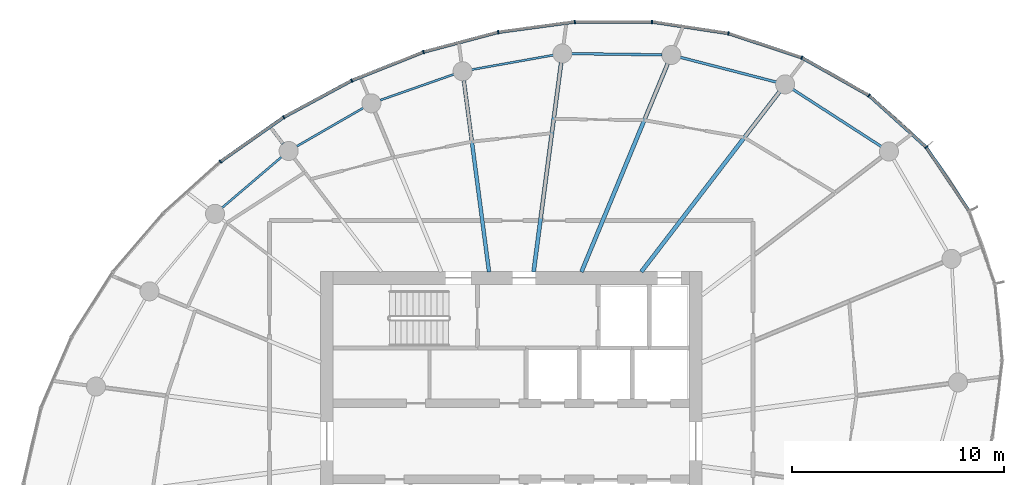
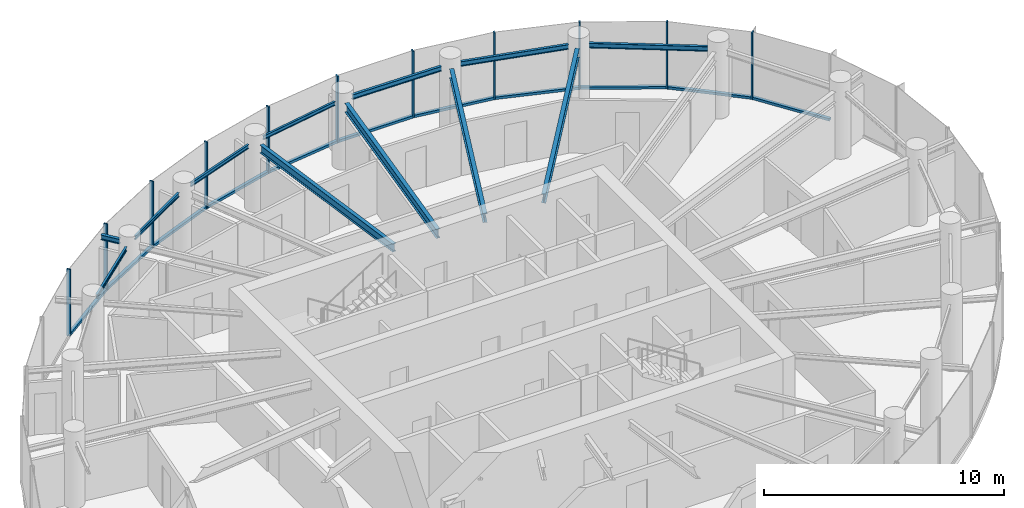
# One storey, part 6 of 14: 22 members, 12 beams, 2 elements without a shape of their own.
"""IFC4 building model written with IfcOpenShell, lengths in metres."""

from ifc_helpers import new_model, si_unit, direction, frame, origin, origin_2d, place, context, subcontext, project, spatial, rectangle, i_section, extrude, source, transform, mapped, material, layer, layer_set, material_profile, profile_set, type_object, element, aggregate, save


model = new_model("IFC4")

# Units and contexts
model_context = context("Model", 3, precision=1e-05, world=origin(), true_north=direction((0.0, 1.0)))
body_context = subcontext(model_context, "Body", "Model", "MODEL_VIEW")
ifc_project = project(units=[si_unit("LENGTHUNIT", "METRE"), si_unit("AREAUNIT", "SQUARE_METRE"), si_unit("VOLUMEUNIT", "CUBIC_METRE"), si_unit("PLANEANGLEUNIT", "RADIAN"), si_unit("MASSUNIT", "GRAM", prefix="KILO")], contexts=[model_context])

# Site, building, storey
site_placement = place(None, origin())
site = spatial("IfcSite", under=ifc_project, at=site_placement, CompositionType="ELEMENT")
building_placement = place(site_placement, origin())
building = spatial("IfcBuilding", under=site, at=building_placement, Name="Spindrift Exchange Tower", CompositionType="ELEMENT")
storey_placement = place(building_placement, frame((0.0, 0.0, 226.699951171875)))
storey = spatial("IfcBuildingStorey", under=building, at=storey_placement, Name="L55", CompositionType="ELEMENT", Elevation=226.699951171875)

# Beams
ifc_material_1 = material(Name="Steel Grade 300", Category="steel")
ifc_material_profile_1 = material_profile(ifc_material_1, i_section(OverallWidth=0.14599609375, OverallDepth=0.251953125, WebThickness=0.006103515625, FlangeThickness=0.008544921875, FilletRadius=0.011962890625, at=origin_2d()), Name="250UB31.4")
ifc_profile_set_1 = profile_set([ifc_material_profile_1], Name="Steel Grade 300")
beam_type_1 = type_object("IfcBeamType", Name="Cantilever Beam 250UB31.4 Steel Grade 300", PredefinedType="BEAM", material=ifc_profile_set_1)
shared_shape_1 = source(origin(), body_context, "Body", "SweptSolid", [
    extrude(i_section(OverallWidth=0.14599609375, OverallDepth=0.251953125, WebThickness=0.006103515625, FlangeThickness=0.008544921875, FilletRadius=0.011962890625, at=origin_2d()), origin(), (0.0, 0.0, 1.0), 0.845947265625),
])
beam_1_placement = place(storey_placement, frame((41.239013671875, 62.024169921875, 3.274169921875), z_axis=(-0.60887368778, 0.793267188487, 0.0), x_axis=(-0.793267188487, -0.60887368778, 0.0)))
element("IfcBeam", 1, at=beam_1_placement, inside=storey, type_object=beam_type_1, Name="L55 cantilever beam R09T", PredefinedType="BEAM", context=body_context, shape_type="MappedRepresentation", body=[
    mapped(shared_shape_1, transform((0.0, 0.0, 0.0), scale=1.0)),
])
ifc_material_profile_2 = material_profile(ifc_material_1, i_section(OverallWidth=0.18994140625, OverallDepth=0.4541015625, WebThickness=0.008544921875, FlangeThickness=0.0126953125, FilletRadius=0.013916015625, at=origin_2d()), Name="460UB67.1")
ifc_profile_set_2 = profile_set([ifc_material_profile_2], Name="Steel Grade 300")
beam_type_2 = type_object("IfcBeamType", Name="Floor Beam 460UB67.1 Steel Grade 300", PredefinedType="BEAM", material=ifc_profile_set_2)
shared_shape_2 = source(origin(), body_context, "Body", "SweptSolid", [
    extrude(i_section(OverallWidth=0.18994140625, OverallDepth=0.4541015625, WebThickness=0.008544921875, FlangeThickness=0.0126953125, FilletRadius=0.013916015625, at=origin_2d()), origin(), (0.0, 0.0, 1.0), 10.711181640625),
])
beam_2_placement = place(storey_placement, frame((58.12646484375, 55.984130859375, 3.173095703125), z_axis=(0.608756401092, 0.793357198322, 0.0), x_axis=(-0.793357198322, 0.608756401092, 0.0)))
element("IfcBeam", 2, at=beam_2_placement, inside=storey, type_object=beam_type_2, Name="L55 radial beam R04A", PredefinedType="BEAM", context=body_context, shape_type="MappedRepresentation", body=[
    mapped(shared_shape_2, transform((0.0, 0.0, 0.0), scale=1.0)),
])
shared_shape_3 = source(origin(), body_context, "Body", "SweptSolid", [
    extrude(i_section(OverallWidth=0.18994140625, OverallDepth=0.4541015625, WebThickness=0.008544921875, FlangeThickness=0.0126953125, FilletRadius=0.013916015625, at=origin_2d()), origin(), (0.0, 0.0, 1.0), 10.64111328125),
])
beam_3_placement = place(storey_placement, frame((55.30615234375, 55.9814453125, 3.173095703125), z_axis=(0.382672627597, 0.923884007919, 0.0), x_axis=(-0.923884007919, 0.382672627597, 0.0)))
element("IfcBeam", 3, at=beam_3_placement, inside=storey, type_object=beam_type_2, Name="L55 radial beam R05A", PredefinedType="BEAM", context=body_context, shape_type="MappedRepresentation", body=[
    mapped(shared_shape_3, transform((0.0, 0.0, 0.0), scale=1.0)),
])
shared_shape_4 = source(origin(), body_context, "Body", "SweptSolid", [
    extrude(i_section(OverallWidth=0.18994140625, OverallDepth=0.4541015625, WebThickness=0.008544921875, FlangeThickness=0.0126953125, FilletRadius=0.013916015625, at=origin_2d()), origin(), (0.0, 0.0, 1.0), 9.95703125),
])
beam_4_placement = place(storey_placement, frame((53.050537109375, 55.980224609375, 3.173095703125), z_axis=(0.130541406635, 0.991442858239, 0.0), x_axis=(-0.991442858239, 0.130541406635, 0.0)))
element("IfcBeam", 4, at=beam_4_placement, inside=storey, type_object=beam_type_2, Name="L55 radial beam R06A", PredefinedType="BEAM", context=body_context, shape_type="MappedRepresentation", body=[
    mapped(shared_shape_4, transform((0.0, 0.0, 0.0), scale=1.0)),
])
ifc_material_profile_3 = material_profile(ifc_material_1, i_section(OverallWidth=0.177978515625, OverallDepth=0.403076171875, WebThickness=0.007568359375, FlangeThickness=0.010986328125, FilletRadius=0.013916015625, at=origin_2d()), Name="410UB53.7")
ifc_profile_set_3 = profile_set([ifc_material_profile_3], Name="Steel Grade 300")
beam_type_3 = type_object("IfcBeamType", Name="Floor Beam 410UB53.7 Steel Grade 300", PredefinedType="BEAM", material=ifc_profile_set_3)
shared_shape_5 = source(origin(), body_context, "Body", "SweptSolid", [
    extrude(i_section(OverallWidth=0.177978515625, OverallDepth=0.403076171875, WebThickness=0.007568359375, FlangeThickness=0.010986328125, FilletRadius=0.013916015625, at=origin_2d()), origin(), (0.0, 0.0, 1.0), 9.11376953125),
])
beam_5_placement = place(storey_placement, frame((50.949462890625, 55.980224609375, 3.198486328125), z_axis=(-0.130536972606, 0.991443442049, 0.0), x_axis=(-0.991443442049, -0.130536972606, 0.0)))
element("IfcBeam", 5, at=beam_5_placement, inside=storey, type_object=beam_type_3, Name="L55 radial beam R07A", PredefinedType="BEAM", context=body_context, shape_type="MappedRepresentation", body=[
    mapped(shared_shape_5, transform((0.0, 0.0, 0.0), scale=1.0)),
])
ifc_material_profile_4 = material_profile(ifc_material_1, i_section(OverallWidth=0.1240234375, OverallDepth=0.248046875, WebThickness=0.0048828125, FlangeThickness=0.008056640625, FilletRadius=0.011962890625, at=origin_2d()), Name="250UB25.7")
ifc_profile_set_4 = profile_set([ifc_material_profile_4], Name="Steel Grade 300")
beam_type_4 = type_object("IfcBeamType", Name="Edge Beam 250UB25.7 Steel Grade 300", PredefinedType="SPANDREL", material=ifc_profile_set_4)
shared_shape_6 = source(origin(), body_context, "Body", "SweptSolid", [
    extrude(i_section(OverallWidth=0.1240234375, OverallDepth=0.248046875, WebThickness=0.0048828125, FlangeThickness=0.008056640625, FilletRadius=0.011962890625, at=origin_2d()), origin(), (0.0, 0.0, 1.0), 4.966552734375),
])
beam_6_placement = place(storey_placement, frame((69.44091796875, 61.893310546875, 3.276123046875), z_axis=(-0.839802198579, 0.54289250065, 0.0), x_axis=(-0.54289250065, -0.839802198579, 0.0)))
element("IfcBeam", 6, at=beam_6_placement, inside=storey, type_object=beam_type_4, Name="L55 edge beam E03", PredefinedType="SPANDREL", context=body_context, shape_type="MappedRepresentation", body=[
    mapped(shared_shape_6, transform((0.0, 0.0, 0.0), scale=1.0)),
])
shared_shape_7 = source(origin(), body_context, "Body", "SweptSolid", [
    extrude(i_section(OverallWidth=0.1240234375, OverallDepth=0.248046875, WebThickness=0.0048828125, FlangeThickness=0.008056640625, FilletRadius=0.011962890625, at=origin_2d()), origin(), (0.0, 0.0, 1.0), 4.682373046875),
])
beam_7_placement = place(storey_placement, frame((64.492431640625, 64.9306640625, 3.276123046875), z_axis=(-0.968201586176, 0.250171318352, 0.0), x_axis=(-0.250171318352, -0.968201586176, 0.0)))
element("IfcBeam", 7, at=beam_7_placement, inside=storey, type_object=beam_type_4, Name="L55 edge beam E04", PredefinedType="SPANDREL", context=body_context, shape_type="MappedRepresentation", body=[
    mapped(shared_shape_7, transform((0.0, 0.0, 0.0), scale=1.0)),
])
shared_shape_8 = source(origin(), body_context, "Body", "SweptSolid", [
    extrude(i_section(OverallWidth=0.1240234375, OverallDepth=0.248046875, WebThickness=0.0048828125, FlangeThickness=0.008056640625, FilletRadius=0.011962890625, at=origin_2d()), origin(), (0.0, 0.0, 1.0), 4.27685546875),
])
beam_8_placement = place(storey_placement, frame((59.11279296875, 66.21533203125, 3.276123046875), z_axis=(-0.999910013527, 0.013415097807, 0.0), x_axis=(-0.013415097807, -0.999910013527, 0.0)))
element("IfcBeam", 8, at=beam_8_placement, inside=storey, type_object=beam_type_4, Name="L55 edge beam E05", PredefinedType="SPANDREL", context=body_context, shape_type="MappedRepresentation", body=[
    mapped(shared_shape_8, transform((0.0, 0.0, 0.0), scale=1.0)),
])
ifc_material_profile_5 = material_profile(ifc_material_1, i_section(OverallWidth=0.09912109375, OverallDepth=0.197998046875, WebThickness=0.00439453125, FlangeThickness=0.007080078125, FilletRadius=0.010986328125, at=origin_2d()), Name="200UB18.2")
ifc_profile_set_5 = profile_set([ifc_material_profile_5], Name="Steel Grade 300")
beam_type_5 = type_object("IfcBeamType", Name="Edge Beam 200UB18.2 Steel Grade 300", PredefinedType="SPANDREL", material=ifc_profile_set_5)
shared_shape_9 = source(origin(), body_context, "Body", "SweptSolid", [
    extrude(i_section(OverallWidth=0.09912109375, OverallDepth=0.197998046875, WebThickness=0.00439453125, FlangeThickness=0.007080078125, FilletRadius=0.010986328125, at=origin_2d()), origin(), (0.0, 0.0, 1.0), 3.916259765625),
])
beam_9_placement = place(storey_placement, frame((53.98291015625, 66.203125, 3.301025390625), z_axis=(-0.984558687682, -0.175054821441, 0.0), x_axis=(0.175054821441, -0.984558687682, 0.0)))
element("IfcBeam", 9, at=beam_9_placement, inside=storey, type_object=beam_type_5, Name="L55 edge beam E06", PredefinedType="SPANDREL", context=body_context, shape_type="MappedRepresentation", body=[
    mapped(shared_shape_9, transform((0.0, 0.0, 0.0), scale=1.0)),
])
shared_shape_10 = source(origin(), body_context, "Body", "SweptSolid", [
    extrude(i_section(OverallWidth=0.09912109375, OverallDepth=0.197998046875, WebThickness=0.00439453125, FlangeThickness=0.007080078125, FilletRadius=0.010986328125, at=origin_2d()), origin(), (0.0, 0.0, 1.0), 3.700439453125),
])
beam_10_placement = place(storey_placement, frame((49.298095703125, 65.300048828125, 3.301025390625), z_axis=(-0.943515334916, -0.331328858957, 0.0), x_axis=(0.331328858957, -0.943515334916, 0.0)))
element("IfcBeam", 10, at=beam_10_placement, inside=storey, type_object=beam_type_5, Name="L55 edge beam E07", PredefinedType="SPANDREL", context=body_context, shape_type="MappedRepresentation", body=[
    mapped(shared_shape_10, transform((0.0, 0.0, 0.0), scale=1.0)),
])
shared_shape_11 = source(origin(), body_context, "Body", "SweptSolid", [
    extrude(i_section(OverallWidth=0.09912109375, OverallDepth=0.197998046875, WebThickness=0.00439453125, FlangeThickness=0.007080078125, FilletRadius=0.010986328125, at=origin_2d()), origin(), (0.0, 0.0, 1.0), 3.64208984375),
])
beam_11_placement = place(storey_placement, frame((45.028564453125, 63.716552734375, 3.301025390625), z_axis=(-0.866364093123, -0.499412913476, 0.0), x_axis=(0.499412913476, -0.866364093123, 0.0)))
element("IfcBeam", 11, at=beam_11_placement, inside=storey, type_object=beam_type_5, Name="L55 edge beam E08", PredefinedType="SPANDREL", context=body_context, shape_type="MappedRepresentation", body=[
    mapped(shared_shape_11, transform((0.0, 0.0, 0.0), scale=1.0)),
])
shared_shape_12 = source(origin(), body_context, "Body", "SweptSolid", [
    extrude(i_section(OverallWidth=0.09912109375, OverallDepth=0.197998046875, WebThickness=0.00439453125, FlangeThickness=0.007080078125, FilletRadius=0.010986328125, at=origin_2d()), origin(), (0.0, 0.0, 1.0), 3.703857421875),
])
beam_12_placement = place(storey_placement, frame((41.173583984375, 61.40380859375, 3.301025390625), z_axis=(-0.7606692863, -0.64913961278, 0.0), x_axis=(0.64913961278, -0.7606692863, 0.0)))
element("IfcBeam", 12, at=beam_12_placement, inside=storey, type_object=beam_type_5, Name="L55 edge beam E09", PredefinedType="SPANDREL", context=body_context, shape_type="MappedRepresentation", body=[
    mapped(shared_shape_12, transform((0.0, 0.0, 0.0), scale=1.0)),
])

# Curtain wall, members
ifc_material_2 = material(Name="Fritted laminated glass with bronze frame", Category="glass")
ifc_layer = layer(ifc_material_2, 0.169921875)
ifc_layer_set = layer_set([ifc_layer], Name="ZONE 4 BRONZE FRITTED WALL")
curtain_wall_type = type_object("IfcCurtainWallType", Name="ZONE 4 BRONZE FRITTED WALL", PredefinedType="NOTDEFINED", material=ifc_layer_set)
curtain_wall_1_placement = place(storey_placement, origin())
curtain_wall_1 = element("IfcCurtainWall", 13, at=curtain_wall_1_placement, inside=storey, type_object=curtain_wall_type, Name="L55 Zone 4 Bronze Fritted Wall run 2", PredefinedType="NOTDEFINED")
ifc_material_3 = material(Name="Bronze anodised aluminium", Category="aluminium")
ifc_material_profile_6 = material_profile(ifc_material_3, rectangle(XDim=0.14990234375, YDim=0.125, at=origin_2d()), Name="ZONE 4 BRONZE FRITTED WALL TRANSOM 150X125")
ifc_profile_set_6 = profile_set([ifc_material_profile_6], Name="Bronze anodised aluminium")
member_type_1 = type_object("IfcMemberType", Name="ZONE 4 BRONZE FRITTED WALL TRANSOM 150X125", PredefinedType="USERDEFINED", material=ifc_profile_set_6)
shared_shape_13 = source(origin(), body_context, "Body", "SweptSolid", [
    extrude(rectangle(XDim=0.14990234375, YDim=0.125, at=origin_2d()), origin(), (0.0, 0.0, 1.0), 3.57763671875),
])
member_1_placement = place(storey_placement, frame((51.351318359375, 67.27490234375, 0.0625), z_axis=(-0.966558105921, -0.256447709831, 0.0), x_axis=(0.256447709831, -0.966558105921, 0.0)))
member_1 = element("IfcMember", 14, at=member_1_placement, type_object=member_type_1, Name="L55 transom CW-4.8", ObjectType="TRANSOM", PredefinedType="USERDEFINED", context=body_context, shape_type="MappedRepresentation", body=[
    mapped(shared_shape_13, transform((0.0, 0.0, 0.0), scale=1.0)),
])
member_2_placement = place(storey_placement, frame((41.24365234375, 63.256103515625, 0.0625), z_axis=(-0.818596657308, -0.574368794978, 0.0), x_axis=(0.574368794978, -0.818596657308, 0.0)))
member_2 = element("IfcMember", 15, at=member_2_placement, type_object=member_type_1, Name="L55 transom CW-4.11", ObjectType="TRANSOM", PredefinedType="USERDEFINED", context=body_context, shape_type="MappedRepresentation", body=[
    mapped(shared_shape_13, transform((0.0, 0.0, 0.0), scale=1.0)),
])
shared_shape_14 = source(origin(), body_context, "Body", "SweptSolid", [
    extrude(rectangle(XDim=0.14990234375, YDim=0.125, at=origin_2d()), origin(), (0.0, 0.0, 1.0), 3.577880859375),
])
member_3_placement = place(storey_placement, frame((47.831787109375, 66.337158203125, 0.0625), z_axis=(-0.929344709529, -0.369213232251, 0.0), x_axis=(0.369213232251, -0.929344709529, 0.0)))
member_3 = element("IfcMember", 16, at=member_3_placement, type_object=member_type_1, Name="L55 transom CW-4.9", ObjectType="TRANSOM", PredefinedType="USERDEFINED", context=body_context, shape_type="MappedRepresentation", body=[
    mapped(shared_shape_14, transform((0.0, 0.0, 0.0), scale=1.0)),
])
shared_shape_15 = source(origin(), body_context, "Body", "SweptSolid", [
    extrude(rectangle(XDim=0.14990234375, YDim=0.125, at=origin_2d()), origin(), (0.0, 0.0, 1.0), 3.577392578125),
])
member_4_placement = place(storey_placement, frame((54.9599609375, 67.767333984375, 0.0625), z_axis=(-0.990967936173, -0.134099028619, 0.0), x_axis=(0.134099028619, -0.990967936173, 0.0)))
member_4 = element("IfcMember", 17, at=member_4_placement, type_object=member_type_1, Name="L55 transom CW-4.7", ObjectType="TRANSOM", PredefinedType="USERDEFINED", context=body_context, shape_type="MappedRepresentation", body=[
    mapped(shared_shape_15, transform((0.0, 0.0, 0.0), scale=1.0)),
])
shared_shape_16 = source(origin(), body_context, "Body", "SweptSolid", [
    extrude(rectangle(XDim=0.14990234375, YDim=0.125, at=origin_2d()), origin(), (0.0, 0.0, 1.0), 3.578125),
])
member_5_placement = place(storey_placement, frame((44.447998046875, 64.98876953125, 0.0625), z_axis=(-0.880146627355, -0.474701921584, 0.0), x_axis=(0.474701921584, -0.880146627355, 0.0)))
member_5 = element("IfcMember", 18, at=member_5_placement, type_object=member_type_1, Name="L55 transom CW-4.10", ObjectType="TRANSOM", PredefinedType="USERDEFINED", context=body_context, shape_type="MappedRepresentation", body=[
    mapped(shared_shape_16, transform((0.0, 0.0, 0.0), scale=1.0)),
])

curtain_wall_2_placement = place(storey_placement, origin())
curtain_wall_2 = element("IfcCurtainWall", 19, at=curtain_wall_2_placement, inside=storey, type_object=curtain_wall_type, Name="L55 Zone 4 Bronze Fritted Wall run 1", PredefinedType="NOTDEFINED")
shared_shape_17 = source(origin(), body_context, "Body", "SweptSolid", [
    extrude(rectangle(XDim=0.14990234375, YDim=0.125, at=origin_2d()), origin(), (0.0, 0.0, 1.0), 3.576904296875),
])
member_6_placement = place(storey_placement, frame((58.6015625, 67.770263671875, 0.0625), z_axis=(-0.999999941766, 0.000341273613, 0.0), x_axis=(-0.000341273613, -0.999999941766, 0.0)))
member_6 = element("IfcMember", 20, at=member_6_placement, type_object=member_type_1, Name="L55 transom CW-4.6", ObjectType="TRANSOM", PredefinedType="USERDEFINED", context=body_context, shape_type="MappedRepresentation", body=[
    mapped(shared_shape_17, transform((0.0, 0.0, 0.0), scale=1.0)),
])
shared_shape_18 = source(origin(), body_context, "Body", "SweptSolid", [
    extrude(rectangle(XDim=0.14990234375, YDim=0.125, at=origin_2d()), origin(), (0.0, 0.0, 1.0), 3.5703125),
])
member_7_placement = place(storey_placement, frame((73.57080078125, 58.87353515625, 0.0625), z_axis=(-0.558182683687, 0.82971807961, 0.0), x_axis=(-0.82971807961, -0.558182683687, 0.0)))
member_7 = element("IfcMember", 21, at=member_7_placement, type_object=member_type_1, Name="L55 transom CW-4.1", ObjectType="TRANSOM", PredefinedType="USERDEFINED", context=body_context, shape_type="MappedRepresentation", body=[
    mapped(shared_shape_18, transform((0.0, 0.0, 0.0), scale=1.0)),
])
shared_shape_19 = source(origin(), body_context, "Body", "SweptSolid", [
    extrude(rectangle(XDim=0.14990234375, YDim=0.125, at=origin_2d()), origin(), (0.0, 0.0, 1.0), 3.571533203125),
])
member_8_placement = place(storey_placement, frame((71.53564453125, 61.884521484375, 0.0625), z_axis=(-0.742212316219, 0.670164813798, 0.0), x_axis=(-0.670164813798, -0.742212316219, 0.0)))
member_8 = element("IfcMember", 22, at=member_8_placement, type_object=member_type_1, Name="L55 transom CW-4.2", ObjectType="TRANSOM", PredefinedType="USERDEFINED", context=body_context, shape_type="MappedRepresentation", body=[
    mapped(shared_shape_19, transform((0.0, 0.0, 0.0), scale=1.0)),
])
shared_shape_20 = source(origin(), body_context, "Body", "SweptSolid", [
    extrude(rectangle(XDim=0.14990234375, YDim=0.125, at=origin_2d()), origin(), (0.0, 0.0, 1.0), 3.574951171875),
])
member_9_placement = place(storey_placement, frame((65.659912109375, 66.095947265625, 0.0625), z_axis=(-0.949553831081, 0.313604084603, 0.0), x_axis=(-0.313604084603, -0.949553831081, 0.0)))
member_9 = element("IfcMember", 23, at=member_9_placement, type_object=member_type_1, Name="L55 transom CW-4.4", ObjectType="TRANSOM", PredefinedType="USERDEFINED", context=body_context, shape_type="MappedRepresentation", body=[
    mapped(shared_shape_20, transform((0.0, 0.0, 0.0), scale=1.0)),
])
shared_shape_21 = source(origin(), body_context, "Body", "SweptSolid", [
    extrude(rectangle(XDim=0.14990234375, YDim=0.125, at=origin_2d()), origin(), (0.0, 0.0, 1.0), 3.576171875),
])
member_10_placement = place(storey_placement, frame((62.2021484375, 67.23193359375, 0.0625), z_axis=(-0.988811819709, 0.149168311659, 0.0), x_axis=(-0.149168311659, -0.988811819709, 0.0)))
member_10 = element("IfcMember", 24, at=member_10_placement, type_object=member_type_1, Name="L55 transom CW-4.5", ObjectType="TRANSOM", PredefinedType="USERDEFINED", context=body_context, shape_type="MappedRepresentation", body=[
    mapped(shared_shape_21, transform((0.0, 0.0, 0.0), scale=1.0)),
])
shared_shape_22 = source(origin(), body_context, "Body", "SweptSolid", [
    extrude(rectangle(XDim=0.14990234375, YDim=0.125, at=origin_2d()), origin(), (0.0, 0.0, 1.0), 3.573486328125),
])
member_11_placement = place(storey_placement, frame((68.832275390625, 64.315673828125, 0.0625), z_axis=(-0.871224993866, 0.490883906911, 0.0), x_axis=(-0.490883906911, -0.871224993866, 0.0)))
member_11 = element("IfcMember", 25, at=member_11_placement, type_object=member_type_1, Name="L55 transom CW-4.3", ObjectType="TRANSOM", PredefinedType="USERDEFINED", context=body_context, shape_type="MappedRepresentation", body=[
    mapped(shared_shape_22, transform((0.0, 0.0, 0.0), scale=1.0)),
])
ifc_material_profile_7 = material_profile(ifc_material_3, rectangle(XDim=0.06494140625, YDim=0.169921875, at=origin_2d()), Name="ZONE 4 BRONZE FRITTED WALL MULLION 65X170")
ifc_profile_set_7 = profile_set([ifc_material_profile_7], Name="Bronze anodised aluminium")
member_type_2 = type_object("IfcMemberType", Name="ZONE 4 BRONZE FRITTED WALL MULLION 65X170", PredefinedType="MULLION", material=ifc_profile_set_7)
shared_shape_23 = source(origin(), body_context, "Body", "SweptSolid", [
    extrude(rectangle(XDim=0.06494140625, YDim=0.169921875, at=origin_2d()), origin(), (0.0, 0.0, 1.0), 3.400146484375),
])
member_12_placement = place(storey_placement, frame((71.559814453125, 61.86279296875, 0.0), z_axis=(0.0, 0.0, 1.0), x_axis=(-0.655088290977, 0.755552335067, 0.0)))
member_12 = element("IfcMember", 26, at=member_12_placement, type_object=member_type_2, Name="L55 mullion CW-4.2", PredefinedType="MULLION", context=body_context, shape_type="MappedRepresentation", body=[
    mapped(shared_shape_23, transform((0.0, 0.0, 0.0), scale=1.0)),
])
member_13_placement = place(storey_placement, frame((68.860595703125, 64.2998046875, 0.0), z_axis=(0.0, 0.0, 1.0), x_axis=(-0.811692954975, 0.584084366204, 0.0)))
member_13 = element("IfcMember", 27, at=member_13_placement, type_object=member_type_2, Name="L55 mullion CW-4.3", PredefinedType="MULLION", context=body_context, shape_type="MappedRepresentation", body=[
    mapped(shared_shape_23, transform((0.0, 0.0, 0.0), scale=1.0)),
])
member_14_placement = place(storey_placement, frame((65.690673828125, 66.085693359375, 0.0), z_axis=(0.0, 0.0, 1.0), x_axis=(-0.914701884973, 0.404129263512, 0.0)))
member_14 = element("IfcMember", 28, at=member_14_placement, type_object=member_type_2, Name="L55 mullion CW-4.4", PredefinedType="MULLION", context=body_context, shape_type="MappedRepresentation", body=[
    mapped(shared_shape_23, transform((0.0, 0.0, 0.0), scale=1.0)),
])
member_15_placement = place(storey_placement, frame((62.234375, 67.227294921875, 0.0), z_axis=(0.0, 0.0, 1.0), x_axis=(-0.972668111105, 0.232199796812, 0.0)))
member_15 = element("IfcMember", 29, at=member_15_placement, type_object=member_type_2, Name="L55 mullion CW-4.5", PredefinedType="MULLION", context=body_context, shape_type="MappedRepresentation", body=[
    mapped(shared_shape_23, transform((0.0, 0.0, 0.0), scale=1.0)),
])
member_16_placement = place(storey_placement, frame((58.634033203125, 67.770263671875, 0.0), z_axis=(0.0, 0.0, 1.0), x_axis=(-0.997186098172, 0.074965896331, 0.0)))
member_16 = element("IfcMember", 30, at=member_16_placement, type_object=member_type_2, Name="L55 mullion CW-4.6", PredefinedType="MULLION", context=body_context, shape_type="MappedRepresentation", body=[
    mapped(shared_shape_23, transform((0.0, 0.0, 0.0), scale=1.0)),
])
aggregate(curtain_wall_2, [member_7, member_12, member_8, member_13, member_11, member_14, member_9, member_15, member_10, member_16, member_6])

# Member
member_17_placement = place(storey_placement, frame((54.9921875, 67.771484375, 0.0), z_axis=(0.0, 0.0, 1.0), x_axis=(-0.997752702632, -0.067004062498, 0.0)))
member_17 = element("IfcMember", 31, at=member_17_placement, type_object=member_type_2, Name="L55 mullion CW-4.7", PredefinedType="MULLION", context=body_context, shape_type="MappedRepresentation", body=[
    mapped(shared_shape_23, transform((0.0, 0.0, 0.0), scale=1.0)),
])

member_18_placement = place(storey_placement, frame((51.3828125, 67.283203125, 0.0), z_axis=(0.0, 0.0, 1.0), x_axis=(-0.9806777407, -0.195630184008, 0.0)))
member_18 = element("IfcMember", 32, at=member_18_placement, type_object=member_type_2, Name="L55 mullion CW-4.8", PredefinedType="MULLION", context=body_context, shape_type="MappedRepresentation", body=[
    mapped(shared_shape_23, transform((0.0, 0.0, 0.0), scale=1.0)),
])

member_19_placement = place(storey_placement, frame((47.86181640625, 66.34912109375, 0.0), z_axis=(0.0, 0.0, 1.0), x_axis=(-0.949622927553, -0.3133947917, 0.0)))
member_19 = element("IfcMember", 33, at=member_19_placement, type_object=member_type_2, Name="L55 mullion CW-4.9", PredefinedType="MULLION", context=body_context, shape_type="MappedRepresentation", body=[
    mapped(shared_shape_23, transform((0.0, 0.0, 0.0), scale=1.0)),
])

member_20_placement = place(storey_placement, frame((44.4765625, 65.004150390625, 0.0), z_axis=(0.0, 0.0, 1.0), x_axis=(-0.906271620841, -0.422695811735, 0.0)))
member_20 = element("IfcMember", 34, at=member_20_placement, type_object=member_type_2, Name="L55 mullion CW-4.10", PredefinedType="MULLION", context=body_context, shape_type="MappedRepresentation", body=[
    mapped(shared_shape_23, transform((0.0, 0.0, 0.0), scale=1.0)),
])

member_21_placement = place(storey_placement, frame((41.270263671875, 63.27490234375, 0.0), z_axis=(0.0, 0.0, 1.0), x_axis=(-0.850820042207, -0.525457187389, 0.0)))
member_21 = element("IfcMember", 35, at=member_21_placement, type_object=member_type_2, Name="L55 mullion CW-4.11", PredefinedType="MULLION", context=body_context, shape_type="MappedRepresentation", body=[
    mapped(shared_shape_23, transform((0.0, 0.0, 0.0), scale=1.0)),
])

member_22_placement = place(storey_placement, frame((38.288330078125, 61.182373046875, 0.0), z_axis=(0.0, 0.0, 1.0), x_axis=(-0.782217933878, -0.623004898792, 0.0)))
member_22 = element("IfcMember", 36, at=member_22_placement, type_object=member_type_2, Name="L55 mullion CW-4.12", PredefinedType="MULLION", context=body_context, shape_type="MappedRepresentation", body=[
    mapped(shared_shape_23, transform((0.0, 0.0, 0.0), scale=1.0)),
])

aggregate(curtain_wall_1, [member_17, member_4, member_18, member_1, member_19, member_3, member_20, member_5, member_21, member_2, member_22])

save(model, "model.ifc")
